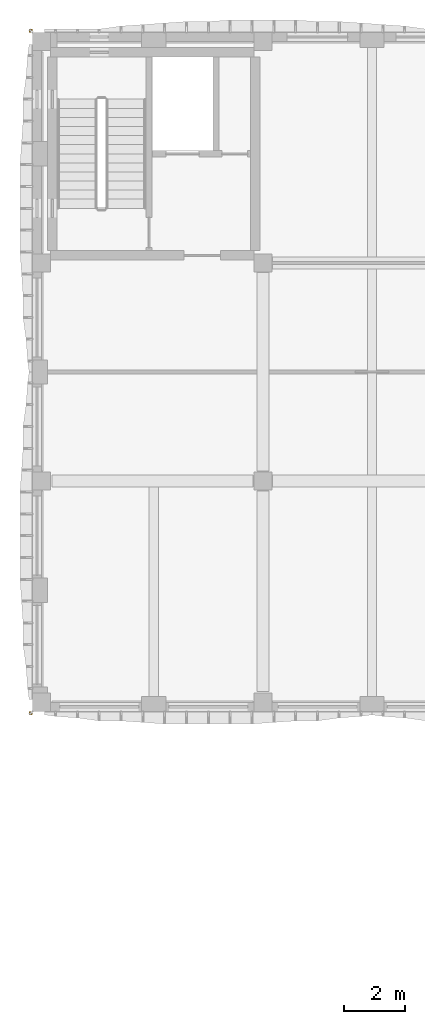
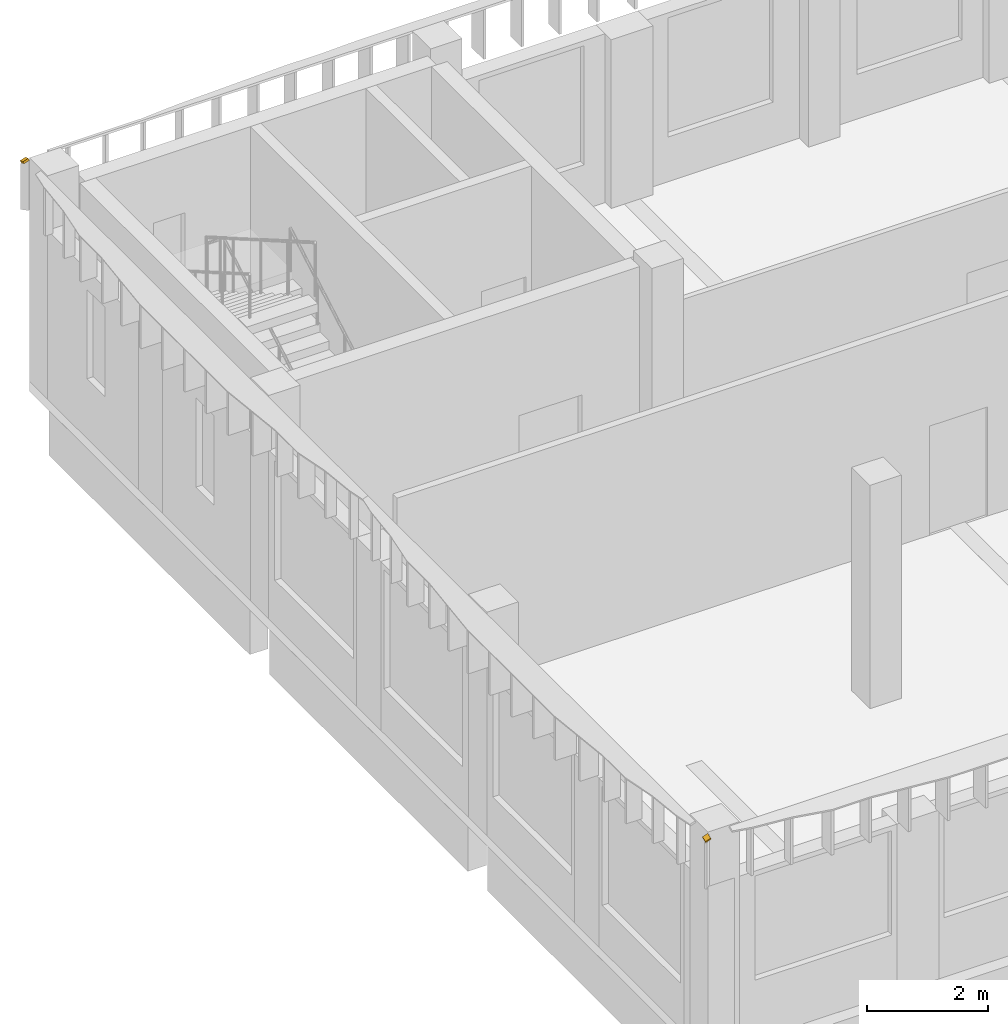
# One storey, part 43 of 44: 2 shading devices.
"""IFC4 building model written with IfcOpenShell, lengths in metres."""

import ifcopenshell
import ifcopenshell.guid

model = None  # the IFC model being written
_history = None  # IfcOwnerHistory: only IFC2X3 demands one
_inside = {}  # id of a spatial element -> (the spatial element, [elements in it])
_under = {}  # id of a project, library or spatial element -> (it, [spatial elements below it])
_declared = {}  # id of a project -> (the project, [libraries it declares])
_typed = {}  # id of a type object -> (the type object, [elements of that type])
_made_of = {}  # id of a material, layer set ... -> (it, [elements and type objects made of it])


def new_model(schema):
    """Start an empty IFC model of exactly this schema.

    Asked for "IFC4X3", IfcOpenShell would pick the latest addendum, in which some entities
    have other attributes; the version numbers below select the first issue.
    IFC2X3 requires an IfcOwnerHistory on every rooted entity: one is made here for all.
    """
    global model, _history
    if schema == "IFC4X3":
        model = ifcopenshell.file(schema_version=(4, 3, 0, 0))
    else:
        model = ifcopenshell.file(schema=schema)
    _inside.clear()
    _under.clear()
    _declared.clear()
    _typed.clear()
    _made_of.clear()
    _history = None
    if model.schema == "IFC2X3":
        org = make("IfcOrganization", Name="unknown")
        user = make(
            "IfcPersonAndOrganization",
            ThePerson=make("IfcPerson", FamilyName="unknown"),
            TheOrganization=org,
        )
        app = make(
            "IfcApplication",
            ApplicationDeveloper=org,
            Version="unknown",
            ApplicationFullName="unknown",
            ApplicationIdentifier="unknown",
        )
        _history = make(
            "IfcOwnerHistory",
            OwningUser=user,
            OwningApplication=app,
            ChangeAction="ADDED",
            CreationDate=0,
        )
    return model


def make(cls, **values):
    """One entity of the class cls with the attributes given. An attribute that is None is left unset."""
    return model.create_entity(
        cls, **{name: value for name, value in values.items() if value is not None}
    )


def rooted(cls, **values):
    """An entity with a GlobalId (a new one), such as an element, a storey or a relation."""
    return make(cls, GlobalId=ifcopenshell.guid.new(), OwnerHistory=_history, **values)


def si_unit(unit_type, name, prefix=None):
    """IfcSIUnit, for example si_unit("LENGTHUNIT", "METRE", prefix="MILLI")."""
    return make("IfcSIUnit", UnitType=unit_type, Prefix=prefix, Name=name)


def assignment(units):
    """IfcUnitAssignment: the units of a project."""
    return None if units is None else make("IfcUnitAssignment", Units=units)


def point(xyz):
    """IfcCartesianPoint."""
    return None if xyz is None else make("IfcCartesianPoint", Coordinates=xyz)


def direction(xyz):
    """IfcDirection."""
    return None if xyz is None else make("IfcDirection", DirectionRatios=xyz)


def frame(location, z_axis=None, x_axis=None):
    """IfcAxis2Placement3D, a coordinate frame: its origin and axes. An axis left out is left unset."""
    return make(
        "IfcAxis2Placement3D",
        Location=point(location),
        Axis=direction(z_axis),
        RefDirection=direction(x_axis),
    )


def origin():
    """The frame at (0, 0, 0) with its axes left unset."""
    return frame((0.0, 0.0, 0.0))


def place(relative_to, where):
    """IfcLocalPlacement: puts the frame where relative to a parent placement (None: the world)."""
    return make(
        "IfcLocalPlacement", PlacementRelTo=relative_to, RelativePlacement=where
    )


def context(
    kind, dimensions, precision=None, world=None, true_north=None, identifier=None
):
    """IfcGeometricRepresentationContext, for example the 3D "Model" context."""
    return make(
        "IfcGeometricRepresentationContext",
        ContextIdentifier=identifier,
        ContextType=kind,
        CoordinateSpaceDimension=dimensions,
        Precision=precision,
        WorldCoordinateSystem=world,
        TrueNorth=true_north,
    )


def subcontext(parent, identifier, kind, view, scale=None):
    """IfcGeometricRepresentationSubContext, for example "Body" below "Model"."""
    return make(
        "IfcGeometricRepresentationSubContext",
        ContextIdentifier=identifier,
        ContextType=kind,
        ParentContext=parent,
        TargetScale=scale,
        TargetView=view,
    )


def project(units=None, contexts=None):
    """IfcProject with its units and contexts."""
    return rooted(
        "IfcProject",
        Name="project",
        RepresentationContexts=contexts,
        UnitsInContext=assignment(units),
    )


def spatial(cls, under=None, at=None, **own):
    """A site, building, storey or space (cls), placed at a placement, below another one or the project."""
    s = rooted(cls, ObjectPlacement=at, **own)
    if under is not None:
        _under.setdefault(under.id(), (under, []))[1].append(s)
    return s


def polyline(points):
    """IfcPolyline through the points."""
    return make("IfcPolyline", Points=[point(p) for p in points])


def outline(outer, holes=None, kind="AREA"):
    """IfcArbitraryClosedProfileDef: a profile drawn as a closed curve; with holes, ...WithVoids."""
    if holes is None:
        return make("IfcArbitraryClosedProfileDef", ProfileType=kind, OuterCurve=outer)
    return make(
        "IfcArbitraryProfileDefWithVoids",
        ProfileType=kind,
        OuterCurve=outer,
        InnerCurves=holes,
    )


def extrude(swept, where, along, depth):
    """IfcExtrudedAreaSolid: the profile swept, set in the frame where, extruded along a direction by depth."""
    return make(
        "IfcExtrudedAreaSolid",
        SweptArea=swept,
        Position=where,
        ExtrudedDirection=direction(along),
        Depth=depth,
    )


def shape(context_of_items, identifier, shape_type, items):
    """IfcShapeRepresentation: the items that make up one representation, for example the "Body"."""
    return make(
        "IfcShapeRepresentation",
        ContextOfItems=context_of_items,
        RepresentationIdentifier=identifier,
        RepresentationType=shape_type,
        Items=items,
    )


def material(Name=None, Category=None):
    """IfcMaterial."""
    return make("IfcMaterial", Name=Name, Category=Category)


def layer(
    of_material, thickness, ventilated=None, Name=None, Category=None, Priority=None
):
    """IfcMaterialLayer: one layer of a wall or slab, of a material (None: an air gap)."""
    return make(
        "IfcMaterialLayer",
        Material=of_material,
        LayerThickness=thickness,
        IsVentilated=ventilated,
        Name=Name,
        Category=Category,
        Priority=Priority,
    )


def layer_set(layers, Name=None):
    """IfcMaterialLayerSet."""
    return make("IfcMaterialLayerSet", MaterialLayers=layers, LayerSetName=Name)


def made_of(thing, what):
    """Note that an element or type object is made of a material, layer set ...; save() writes the relation."""
    if what is not None:
        _made_of.setdefault(what.id(), (what, []))[1].append(thing)
    return thing


def type_object(cls, material=None, **own):
    """A type object (cls), such as IfcWallType, which elements share."""
    return made_of(rooted(cls, **own), material)


def element(
    cls,
    number,
    at=None,
    inside=None,
    cuts=None,
    type_object=None,
    material=None,
    context=None,
    identifier="Body",
    shape_type=None,
    held_by="IfcProductDefinitionShape",
    body=None,
    shapes=None,
    **own,
):
    """One element of the class cls, such as IfcWall. Its Tag is "e" and its number.

    at: its placement. inside: the storey or other place that contains it. cuts: it is an
    opening in that element (IfcRelVoidsElement). A single representation is given by context,
    identifier, shape_type and body (its items); several are given by shapes. held_by: the class
    of the entity that holds the representations. save() writes the other relations.
    """
    e = rooted(cls, Tag="e%d" % number, ObjectPlacement=at, **own)
    if body is not None:
        shapes = [shape(context, identifier, shape_type, body)]
    if shapes is not None:
        e.Representation = make(held_by, Representations=shapes)
    if inside is not None:
        _inside.setdefault(inside.id(), (inside, []))[1].append(e)
    if cuts is not None:
        rooted(
            "IfcRelVoidsElement", RelatingBuildingElement=cuts, RelatedOpeningElement=e
        )
    if type_object is not None:
        _typed.setdefault(type_object.id(), (type_object, []))[1].append(e)
    return made_of(e, material)


def aggregate(whole, parts):
    """IfcRelAggregates: a whole, such as a stair, and the parts it consists of."""
    return rooted("IfcRelAggregates", RelatingObject=whole, RelatedObjects=parts)


def save(model, path):
    """Write the relations noted so far, then the file.

    IfcRelAggregates (storeys below a building ...), IfcRelContainedInSpatialStructure (elements
    in a storey), IfcRelDefinesByType, IfcRelAssociatesMaterial and IfcRelDeclares: one each for
    every whole, place, type object, material and project.
    """
    for whole, parts in _under.values():
        aggregate(whole, parts)
    for where, things in _inside.values():
        rooted(
            "IfcRelContainedInSpatialStructure",
            RelatedElements=things,
            RelatingStructure=where,
        )
    for kind, things in _typed.values():
        rooted("IfcRelDefinesByType", RelatedObjects=things, RelatingType=kind)
    for what, things in _made_of.values():
        rooted("IfcRelAssociatesMaterial", RelatedObjects=things, RelatingMaterial=what)
    for by, libraries in _declared.values():
        rooted("IfcRelDeclares", RelatingContext=by, RelatedDefinitions=libraries)
    model.write(path)


model = new_model("IFC4")

# Units and contexts
model_context = context("Model", 3, precision=1e-05, world=origin(), true_north=direction((0.0, 1.0)))
body_context = subcontext(model_context, "Body", "Model", "MODEL_VIEW")
ifc_project = project(units=[si_unit("LENGTHUNIT", "METRE"), si_unit("AREAUNIT", "SQUARE_METRE"), si_unit("VOLUMEUNIT", "CUBIC_METRE"), si_unit("PLANEANGLEUNIT", "RADIAN"), si_unit("MASSUNIT", "GRAM", prefix="KILO")], contexts=[model_context])

# Site, building, storey
site_placement = place(None, origin())
site = spatial("IfcSite", under=ifc_project, at=site_placement, CompositionType="ELEMENT")
building_placement = place(site_placement, origin())
building = spatial("IfcBuilding", under=site, at=building_placement, Name="Ussher Court Research Institute", CompositionType="ELEMENT")
storey_placement = place(building_placement, frame((0.0, 0.0, 18.89990234375)))
storey = spatial("IfcBuildingStorey", under=building, at=storey_placement, Name="L04", CompositionType="ELEMENT", Elevation=18.89990234375)

# Shading devices
ifc_material = material(Name="Bronze anodised aluminium", Category="aluminium")
ifc_layer = layer(ifc_material, 0.0400390625)
ifc_layer_set = layer_set([ifc_layer], Name="Bronze anodised aluminium")
shading_device_type = type_object("IfcShadingDeviceType", Name="Brim visor sheet 40 mm canted 20 deg dry", PredefinedType="USERDEFINED", material=ifc_layer_set)
shading_device_1_placement = place(storey_placement, frame((2.587158203125, 68.38720703125, 4.485595703125), z_axis=(-0.323224861095, -0.323224861095, 0.889410691604), x_axis=(-0.939860335167, 0.0, -0.341558999853)))
element("IfcShadingDevice", 1, at=shading_device_1_placement, inside=storey, type_object=shading_device_type, Name="Brim visor sheet BR2 L04", ObjectType="BRIM", PredefinedType="USERDEFINED", context=body_context, shape_type="SweptSolid", body=[
    extrude(outline(polyline([(0.0, 0.0), (0.10650269247958763, -1.734723475976807e-18), (0.11892756820666907, 0.10577545068950636), (0.01242487572708144, 0.10577545068950638), (0.0, 0.0)])), origin(), (0.0, 0.0, -1.0), 0.0400390625),
])
shading_device_2_placement = place(storey_placement, frame((2.587158203125, 90.81298828125, 4.485595703125), z_axis=(-0.323142227815, 0.323932306611, 0.889183311436), x_axis=(0.0, 0.939592038002, -0.342296365922)))
element("IfcShadingDevice", 2, at=shading_device_2_placement, inside=storey, type_object=shading_device_type, Name="Brim visor sheet BR2 L04", ObjectType="BRIM", PredefinedType="USERDEFINED", context=body_context, shape_type="SweptSolid", body=[
    extrude(outline(polyline([(0.0, 0.0), (0.10627326710575227, 0.0), (0.11872496596376943, 0.10577229647195369), (0.012451698858017153, 0.10577229647195369), (0.0, 0.0)])), origin(), (0.0, 0.0, -1.0), 0.0400390625),
])

save(model, "model.ifc")
